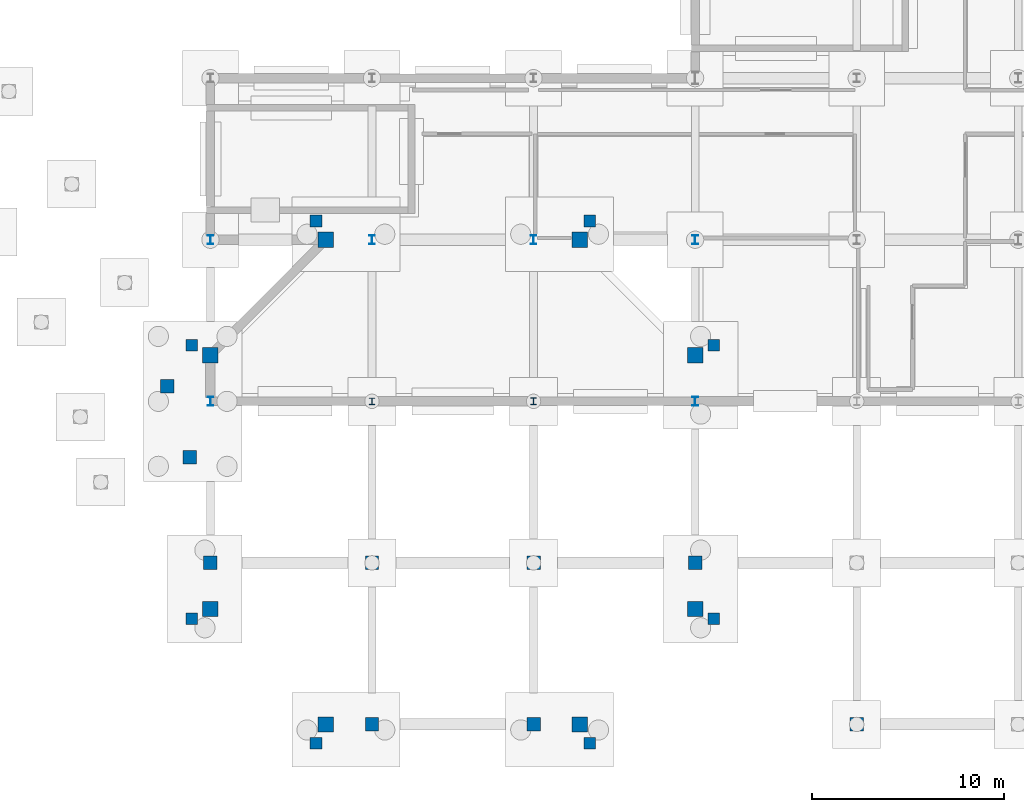
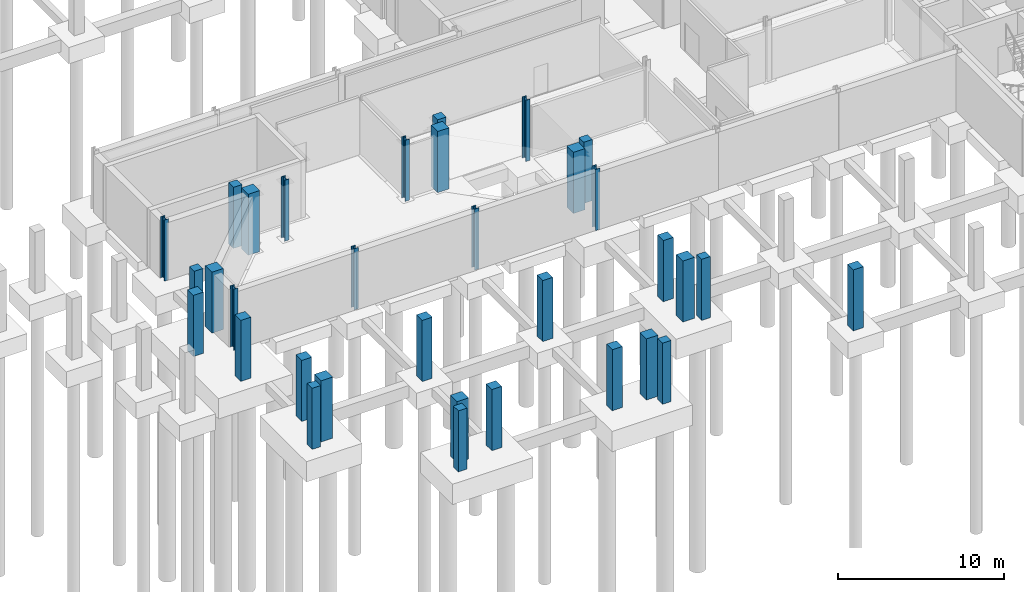
# One storey, part 9 of 43: 33 columns.
"""IFC4 building model written with IfcOpenShell, lengths in metres."""

from ifc_helpers import new_model, si_unit, direction, frame, origin, origin_2d, place, context, subcontext, project, spatial, rectangle, i_section, extrude, material, material_profile, profile_set, type_object, element, save


model = new_model("IFC4")

# Units and contexts
model_context = context("Model", 3, precision=1e-05, world=origin(), true_north=direction((0.0, 1.0)))
body_context = subcontext(model_context, "Body", "Model", "MODEL_VIEW")
ifc_project = project(units=[si_unit("LENGTHUNIT", "METRE"), si_unit("AREAUNIT", "SQUARE_METRE"), si_unit("VOLUMEUNIT", "CUBIC_METRE"), si_unit("PLANEANGLEUNIT", "RADIAN"), si_unit("MASSUNIT", "GRAM", prefix="KILO")], contexts=[model_context])

# Site, building, storey
site_placement = place(None, origin())
site = spatial("IfcSite", under=ifc_project, at=site_placement, CompositionType="ELEMENT")
building_placement = place(site_placement, origin())
building = spatial("IfcBuilding", under=site, at=building_placement, Name="Mersafa Astral City Hall", CompositionType="ELEMENT")
storey_placement = place(building_placement, frame((0.0, 0.0, -4.5)))
storey = spatial("IfcBuildingStorey", under=building, at=storey_placement, Name="B1", CompositionType="ELEMENT", Elevation=-4.5)

# Columns
ifc_material_1 = material(Name="Steel S355", Category="steel")
ifc_material_profile_1 = material_profile(ifc_material_1, i_section(OverallWidth=0.300048828125, OverallDepth=0.340087890625, WebThickness=0.011962890625, FlangeThickness=0.021484375, FilletRadius=0.027099609375, at=origin_2d()), Name="HEB 340")
ifc_profile_set_1 = profile_set([ifc_material_profile_1], Name="Steel S355")
column_type_1 = type_object("IfcColumnType", Name="STR-COL-HEB340", PredefinedType="COLUMN", material=ifc_profile_set_1)
column_1_placement = place(storey_placement, frame((75.60009765625, 16.800048828125, 0.0), z_axis=(0.0, 0.0, 1.0), x_axis=(1.0, 0.0, 0.0)))
element("IfcColumn", 1, at=column_1_placement, inside=storey, type_object=column_type_1, Name="B1 Structural column G-09-02", PredefinedType="COLUMN", context=body_context, shape_type="SweptSolid", body=[
    extrude(i_section(OverallWidth=0.300048828125, OverallDepth=0.340087890625, WebThickness=0.011962890625, FlangeThickness=0.021484375, FilletRadius=0.027099609375, at=origin_2d()), origin(), (0.0, 0.0, 1.0), 4.5),
])
ifc_material_profile_2 = material_profile(ifc_material_1, i_section(OverallWidth=0.300048828125, OverallDepth=0.360107421875, WebThickness=0.012451171875, FlangeThickness=0.0224609375, FilletRadius=0.027099609375, at=origin_2d()), Name="HEB 360")
ifc_profile_set_2 = profile_set([ifc_material_profile_2], Name="Steel S355")
column_type_2 = type_object("IfcColumnType", Name="STR-COL-HEB360", PredefinedType="COLUMN", material=ifc_profile_set_2)
column_2_placement = place(storey_placement, frame((84.0, 16.800048828125, 0.0), z_axis=(0.0, 0.0, 1.0), x_axis=(1.0, 0.0, 0.0)))
element("IfcColumn", 2, at=column_2_placement, inside=storey, type_object=column_type_2, Name="B1 Structural column G-10-02", PredefinedType="COLUMN", context=body_context, shape_type="SweptSolid", body=[
    extrude(i_section(OverallWidth=0.300048828125, OverallDepth=0.360107421875, WebThickness=0.012451171875, FlangeThickness=0.0224609375, FilletRadius=0.027099609375, at=origin_2d()), origin(), (0.0, 0.0, 1.0), 4.5),
])
ifc_material_profile_3 = material_profile(ifc_material_1, i_section(OverallWidth=0.300048828125, OverallDepth=0.449951171875, WebThickness=0.013916015625, FlangeThickness=0.02587890625, FilletRadius=0.027099609375, at=origin_2d()), Name="HEB 450")
ifc_profile_set_3 = profile_set([ifc_material_profile_3], Name="Steel S355")
column_type_3 = type_object("IfcColumnType", Name="STR-COL-HEB450", PredefinedType="COLUMN", material=ifc_profile_set_3)
for number, where, z_axis, x_axis, name in (
    (3, (67.199951171875, 16.800048828125, 0.0), (0.0, 0.0, 1.0), (1.0, 0.0, 0.0), "B1 Structural column G-08-02"),
    (4, (67.199951171875, 25.199951171875, 0.0), (0.0, 0.0, 1.0), (1.0, 0.0, 0.0), "B1 Structural column G-08-03"),
    (5, (75.60009765625, 25.199951171875, 0.0), (0.0, 0.0, 1.0), (1.0, 0.0, 0.0), "B1 Structural column G-09-03"),
    (6, (84.0, 25.199951171875, 0.0), (0.0, 0.0, 1.0), (1.0, 0.0, 0.0), "B1 Structural column G-10-03"),
    (7, (92.39990234375, 16.800048828125, 0.0), (0.0, 0.0, 1.0), (1.0, 0.0, 0.0), "B1 Structural column G-11-02"),
    (8, (92.39990234375, 25.199951171875, 0.0), (0.0, 0.0, 1.0), (1.0, 0.0, 0.0), "B1 Structural column G-11-03"),
):
    element("IfcColumn", number, at=place(storey_placement, frame(where, z_axis=z_axis, x_axis=x_axis)), inside=storey, type_object=column_type_3, Name=name, PredefinedType="COLUMN", context=body_context, shape_type="SweptSolid", body=[
        extrude(i_section(OverallWidth=0.300048828125, OverallDepth=0.449951171875, WebThickness=0.013916015625, FlangeThickness=0.02587890625, FilletRadius=0.027099609375, at=origin_2d()), origin(), (0.0, 0.0, 1.0), 4.5),
    ])
ifc_material_2 = material(Name="Concrete C40/50", Category="concrete")
ifc_material_profile_4 = material_profile(ifc_material_2, rectangle(XDim=0.60009765625, YDim=0.60009765625, at=origin_2d()), Name="RC 600x600")
ifc_profile_set_4 = profile_set([ifc_material_profile_4], Name="Concrete C40/50")
column_type_4 = type_object("IfcColumnType", Name="STR-COL-RC600", PredefinedType="COLUMN", material=ifc_profile_set_4)
for number, where, z_axis, x_axis, name in (
    (9, (72.689697265625, -0.974365234375, 0.0), (0.0, 0.0, 1.0), (1.0, 0.0, 0.0), "B1 Chamber pier pedestal OCT-1"),
    (10, (86.910400390625, -0.974365234375, 0.0), (0.0, 0.0, 1.0), (1.0, 0.0, 0.0), "B1 Chamber pier pedestal OCT-2"),
    (11, (93.37451171875, 5.489501953125, 0.0), (0.0, 0.0, 1.0), (1.0, 0.0, 0.0), "B1 Chamber pier pedestal OCT-3"),
    (12, (93.37451171875, 19.71044921875, 0.0), (0.0, 0.0, 1.0), (1.0, 0.0, 0.0), "B1 Chamber pier pedestal OCT-4"),
    (13, (86.910400390625, 26.17431640625, 0.0), (0.0, 0.0, 1.0), (1.0, 0.0, 0.0), "B1 Chamber pier pedestal OCT-5"),
    (14, (72.689697265625, 26.17431640625, 0.0), (0.0, 0.0, 1.0), (1.0, 0.0, 0.0), "B1 Chamber pier pedestal OCT-6"),
    (15, (66.2255859375, 19.71044921875, 0.0), (0.0, 0.0, 1.0), (1.0, 0.0, 0.0), "B1 Chamber pier pedestal OCT-7"),
    (16, (66.2255859375, 5.489501953125, 0.0), (0.0, 0.0, 1.0), (1.0, 0.0, 0.0), "B1 Chamber pier pedestal OCT-8"),
):
    element("IfcColumn", number, at=place(storey_placement, frame(where, z_axis=z_axis, x_axis=x_axis)), inside=storey, type_object=column_type_4, Name=name, PredefinedType="COLUMN", context=body_context, shape_type="SweptSolid", body=[
        extrude(rectangle(XDim=0.60009765625, YDim=0.60009765625, at=origin_2d()), origin(), (0.0, 0.0, 1.0), 4.5),
    ])
ifc_material_profile_5 = material_profile(ifc_material_2, rectangle(XDim=0.699951171875, YDim=0.699951171875, at=origin_2d()), Name="RC 700x700")
ifc_profile_set_5 = profile_set([ifc_material_profile_5], Name="Concrete C40/50")
column_type_5 = type_object("IfcColumnType", Name="STR-COL-RC700", PredefinedType="COLUMN", material=ifc_profile_set_5)
for number, where, z_axis, x_axis, name in (
    (17, (67.199951171875, 8.39990234375, 0.0), (0.0, 0.0, 1.0), (1.0, 0.0, 0.0), "B1 Structural column G-08-01"),
    (18, (75.60009765625, 0.0, 0.0), (0.0, 0.0, 1.0), (1.0, 0.0, 0.0), "B1 Structural column G-09-00"),
    (19, (75.60009765625, 8.39990234375, 0.0), (0.0, 0.0, 1.0), (1.0, 0.0, 0.0), "B1 Structural column G-09-01"),
    (20, (84.0, 0.0, 0.0), (0.0, 0.0, 1.0), (1.0, 0.0, 0.0), "B1 Structural column G-10-00"),
    (21, (84.0, 8.39990234375, 0.0), (0.0, 0.0, 1.0), (1.0, 0.0, 0.0), "B1 Structural column G-10-01"),
    (22, (92.39990234375, 8.39990234375, 0.0), (0.0, 0.0, 1.0), (1.0, 0.0, 0.0), "B1 Structural column G-11-01"),
    (23, (100.800048828125, 0.0, 0.0), (0.0, 0.0, 1.0), (1.0, 0.0, 0.0), "B1 Structural column G-12-00"),
    (24, (64.958984375, 17.585693359375, 0.0), (0.0, 0.0, 1.0), (1.0, 0.0, 0.0), "B1 Shaded Front Arcade inner column ARCI-12"),
    (25, (66.125, 13.884765625, 0.0), (0.0, 0.0, 1.0), (1.0, 0.0, 0.0), "B1 Shaded Front Arcade inner column ARCI-13"),
):
    element("IfcColumn", number, at=place(storey_placement, frame(where, z_axis=z_axis, x_axis=x_axis)), inside=storey, type_object=column_type_5, Name=name, PredefinedType="COLUMN", context=body_context, shape_type="SweptSolid", body=[
        extrude(rectangle(XDim=0.699951171875, YDim=0.699951171875, at=origin_2d()), origin(), (0.0, 0.0, 1.0), 4.5),
    ])
ifc_material_profile_6 = material_profile(ifc_material_2, rectangle(XDim=0.800048828125, YDim=0.800048828125, at=origin_2d()), Name="RC 800x800")
ifc_profile_set_6 = profile_set([ifc_material_profile_6], Name="Concrete C40/50")
column_type_6 = type_object("IfcColumnType", Name="STR-COL-RC800", PredefinedType="COLUMN", material=ifc_profile_set_6)
for number, where, z_axis, x_axis, name in (
    (26, (73.199951171875, 0.0, 0.0), (0.0, 0.0, 1.0), (1.0, 0.0, 0.0), "B1 Chamber perimeter column OCT-1"),
    (27, (86.39990234375, 0.0, 0.0), (0.0, 0.0, 1.0), (1.0, 0.0, 0.0), "B1 Chamber perimeter column OCT-2"),
    (28, (92.39990234375, 6.0, 0.0), (0.0, 0.0, 1.0), (1.0, 0.0, 0.0), "B1 Chamber perimeter column OCT-3"),
    (29, (92.39990234375, 19.199951171875, 0.0), (0.0, 0.0, 1.0), (1.0, 0.0, 0.0), "B1 Chamber perimeter column OCT-4"),
    (30, (86.39990234375, 25.199951171875, 0.0), (0.0, 0.0, 1.0), (1.0, 0.0, 0.0), "B1 Chamber perimeter column OCT-5"),
    (31, (73.199951171875, 25.199951171875, 0.0), (0.0, 0.0, 1.0), (1.0, 0.0, 0.0), "B1 Chamber perimeter column OCT-6"),
    (32, (67.199951171875, 19.199951171875, 0.0), (0.0, 0.0, 1.0), (1.0, 0.0, 0.0), "B1 Chamber perimeter column OCT-7"),
    (33, (67.199951171875, 6.0, 0.0), (0.0, 0.0, 1.0), (1.0, 0.0, 0.0), "B1 Chamber perimeter column OCT-8"),
):
    element("IfcColumn", number, at=place(storey_placement, frame(where, z_axis=z_axis, x_axis=x_axis)), inside=storey, type_object=column_type_6, Name=name, PredefinedType="COLUMN", context=body_context, shape_type="SweptSolid", body=[
        extrude(rectangle(XDim=0.800048828125, YDim=0.800048828125, at=origin_2d()), origin(), (0.0, 0.0, 1.0), 4.5),
    ])

save(model, "model.ifc")
